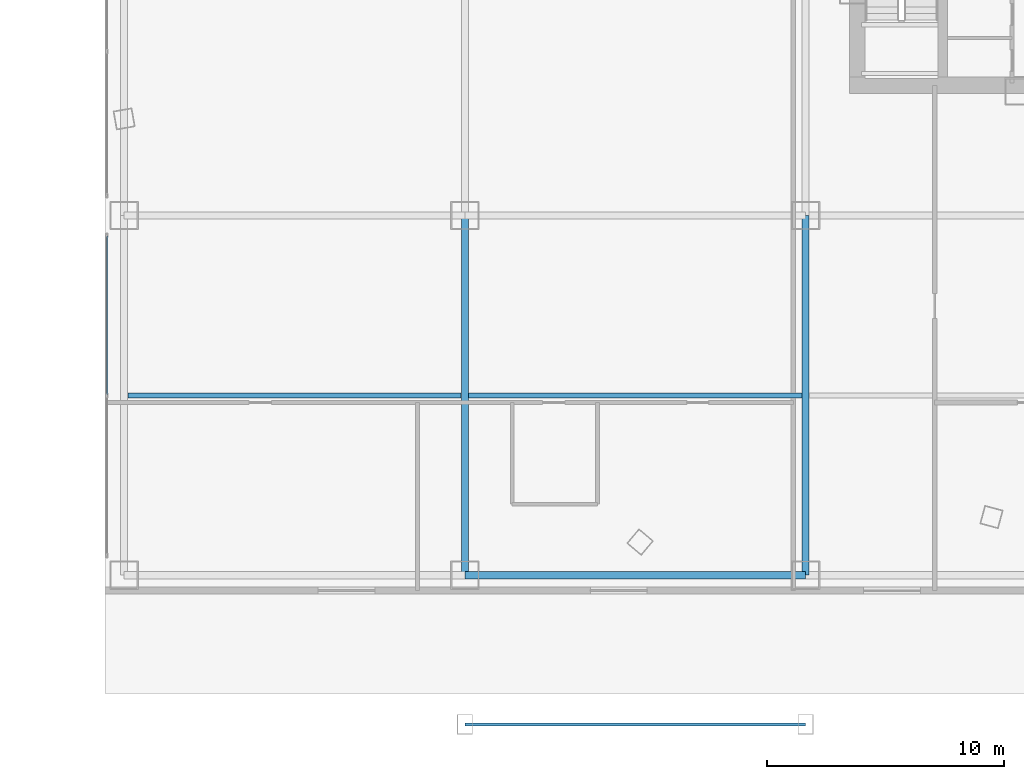
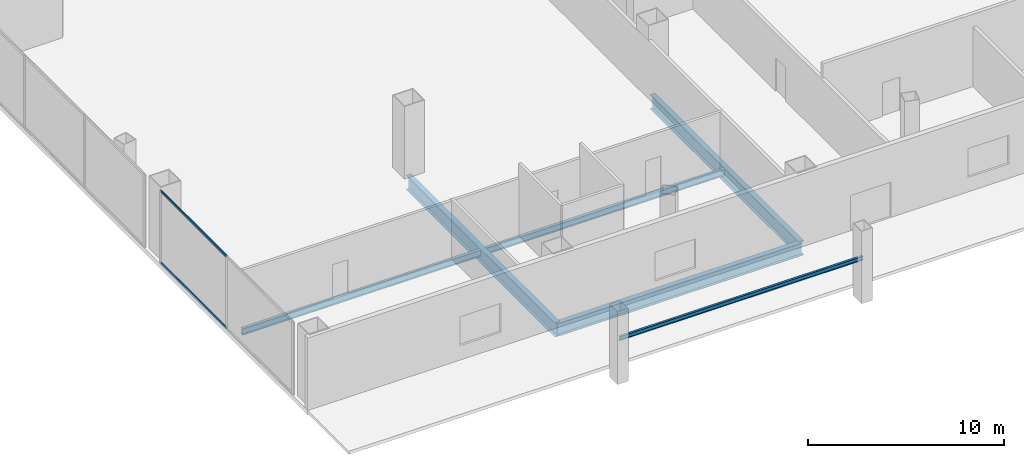
# One storey, part 6 of 58: 6 beams, 2 members, 1 element without a shape of its own.
"""IFC4 building model written with IfcOpenShell, lengths in metres."""

import ifcopenshell
import ifcopenshell.guid

model = None  # the IFC model being written
_history = None  # IfcOwnerHistory: only IFC2X3 demands one
_inside = {}  # id of a spatial element -> (the spatial element, [elements in it])
_under = {}  # id of a project, library or spatial element -> (it, [spatial elements below it])
_declared = {}  # id of a project -> (the project, [libraries it declares])
_typed = {}  # id of a type object -> (the type object, [elements of that type])
_made_of = {}  # id of a material, layer set ... -> (it, [elements and type objects made of it])


def new_model(schema):
    """Start an empty IFC model of exactly this schema.

    Asked for "IFC4X3", IfcOpenShell would pick the latest addendum, in which some entities
    have other attributes; the version numbers below select the first issue.
    IFC2X3 requires an IfcOwnerHistory on every rooted entity: one is made here for all.
    """
    global model, _history
    if schema == "IFC4X3":
        model = ifcopenshell.file(schema_version=(4, 3, 0, 0))
    else:
        model = ifcopenshell.file(schema=schema)
    _inside.clear()
    _under.clear()
    _declared.clear()
    _typed.clear()
    _made_of.clear()
    _history = None
    if model.schema == "IFC2X3":
        org = make("IfcOrganization", Name="unknown")
        user = make(
            "IfcPersonAndOrganization",
            ThePerson=make("IfcPerson", FamilyName="unknown"),
            TheOrganization=org,
        )
        app = make(
            "IfcApplication",
            ApplicationDeveloper=org,
            Version="unknown",
            ApplicationFullName="unknown",
            ApplicationIdentifier="unknown",
        )
        _history = make(
            "IfcOwnerHistory",
            OwningUser=user,
            OwningApplication=app,
            ChangeAction="ADDED",
            CreationDate=0,
        )
    return model


def make(cls, **values):
    """One entity of the class cls with the attributes given. An attribute that is None is left unset."""
    return model.create_entity(
        cls, **{name: value for name, value in values.items() if value is not None}
    )


def rooted(cls, **values):
    """An entity with a GlobalId (a new one), such as an element, a storey or a relation."""
    return make(cls, GlobalId=ifcopenshell.guid.new(), OwnerHistory=_history, **values)


def si_unit(unit_type, name, prefix=None):
    """IfcSIUnit, for example si_unit("LENGTHUNIT", "METRE", prefix="MILLI")."""
    return make("IfcSIUnit", UnitType=unit_type, Prefix=prefix, Name=name)


def assignment(units):
    """IfcUnitAssignment: the units of a project."""
    return None if units is None else make("IfcUnitAssignment", Units=units)


def point(xyz):
    """IfcCartesianPoint."""
    return None if xyz is None else make("IfcCartesianPoint", Coordinates=xyz)


def direction(xyz):
    """IfcDirection."""
    return None if xyz is None else make("IfcDirection", DirectionRatios=xyz)


def frame(location, z_axis=None, x_axis=None):
    """IfcAxis2Placement3D, a coordinate frame: its origin and axes. An axis left out is left unset."""
    return make(
        "IfcAxis2Placement3D",
        Location=point(location),
        Axis=direction(z_axis),
        RefDirection=direction(x_axis),
    )


def frame_2d(location, x_axis=None):
    """IfcAxis2Placement2D, a coordinate frame in the plane: its origin and x axis."""
    return make(
        "IfcAxis2Placement2D", Location=point(location), RefDirection=direction(x_axis)
    )


def origin():
    """The frame at (0, 0, 0) with its axes left unset."""
    return frame((0.0, 0.0, 0.0))


def origin_2d():
    """The frame at (0, 0) in the plane with its x axis left unset."""
    return frame_2d((0.0, 0.0))


def place(relative_to, where):
    """IfcLocalPlacement: puts the frame where relative to a parent placement (None: the world)."""
    return make(
        "IfcLocalPlacement", PlacementRelTo=relative_to, RelativePlacement=where
    )


def context(
    kind, dimensions, precision=None, world=None, true_north=None, identifier=None
):
    """IfcGeometricRepresentationContext, for example the 3D "Model" context."""
    return make(
        "IfcGeometricRepresentationContext",
        ContextIdentifier=identifier,
        ContextType=kind,
        CoordinateSpaceDimension=dimensions,
        Precision=precision,
        WorldCoordinateSystem=world,
        TrueNorth=true_north,
    )


def subcontext(parent, identifier, kind, view, scale=None):
    """IfcGeometricRepresentationSubContext, for example "Body" below "Model"."""
    return make(
        "IfcGeometricRepresentationSubContext",
        ContextIdentifier=identifier,
        ContextType=kind,
        ParentContext=parent,
        TargetScale=scale,
        TargetView=view,
    )


def project(units=None, contexts=None):
    """IfcProject with its units and contexts."""
    return rooted(
        "IfcProject",
        Name="project",
        RepresentationContexts=contexts,
        UnitsInContext=assignment(units),
    )


def spatial(cls, under=None, at=None, **own):
    """A site, building, storey or space (cls), placed at a placement, below another one or the project."""
    s = rooted(cls, ObjectPlacement=at, **own)
    if under is not None:
        _under.setdefault(under.id(), (under, []))[1].append(s)
    return s


def profile(cls, at=None, kind="AREA", **sizes):
    """A parametric profile (cls). Its sizes go by their IFC names, for example OverallWidth=200.0."""
    return make(cls, ProfileType=kind, Position=at, **sizes)


def hollow_rectangle(**sizes):
    """IfcRectangleHollowProfileDef."""
    return profile("IfcRectangleHollowProfileDef", **sizes)


def i_section(**sizes):
    """IfcIShapeProfileDef."""
    return profile("IfcIShapeProfileDef", **sizes)


def extrude(swept, where, along, depth):
    """IfcExtrudedAreaSolid: the profile swept, set in the frame where, extruded along a direction by depth."""
    return make(
        "IfcExtrudedAreaSolid",
        SweptArea=swept,
        Position=where,
        ExtrudedDirection=direction(along),
        Depth=depth,
    )


def shape(context_of_items, identifier, shape_type, items):
    """IfcShapeRepresentation: the items that make up one representation, for example the "Body"."""
    return make(
        "IfcShapeRepresentation",
        ContextOfItems=context_of_items,
        RepresentationIdentifier=identifier,
        RepresentationType=shape_type,
        Items=items,
    )


def source(mapping_origin, context_of_items, identifier, shape_type, items):
    """IfcRepresentationMap: a shape defined once, which mapped items show again and again."""
    return make(
        "IfcRepresentationMap",
        MappingOrigin=mapping_origin,
        MappedRepresentation=shape(context_of_items, identifier, shape_type, items),
    )


def transform(
    local_origin,
    x_axis=None,
    y_axis=None,
    z_axis=None,
    scale=None,
    scale2=None,
    scale3=None,
    uniform=True,
):
    """IfcCartesianTransformationOperator3D, or its non-uniform kind. x_axis, y_axis, z_axis: its Axis1, 2, 3."""
    if uniform:
        return make(
            "IfcCartesianTransformationOperator3D",
            Axis1=direction(x_axis),
            Axis2=direction(y_axis),
            LocalOrigin=point(local_origin),
            Scale=scale,
            Axis3=direction(z_axis),
        )
    return make(
        "IfcCartesianTransformationOperator3DnonUniform",
        Axis1=direction(x_axis),
        Axis2=direction(y_axis),
        LocalOrigin=point(local_origin),
        Scale=scale,
        Axis3=direction(z_axis),
        Scale2=scale2,
        Scale3=scale3,
    )


def mapped(mapping_source, mapping_target):
    """IfcMappedItem: shows the shape of a source again, moved by a transform."""
    return make(
        "IfcMappedItem", MappingSource=mapping_source, MappingTarget=mapping_target
    )


def material(Name=None, Category=None):
    """IfcMaterial."""
    return make("IfcMaterial", Name=Name, Category=Category)


def layer(
    of_material, thickness, ventilated=None, Name=None, Category=None, Priority=None
):
    """IfcMaterialLayer: one layer of a wall or slab, of a material (None: an air gap)."""
    return make(
        "IfcMaterialLayer",
        Material=of_material,
        LayerThickness=thickness,
        IsVentilated=ventilated,
        Name=Name,
        Category=Category,
        Priority=Priority,
    )


def layer_set(layers, Name=None):
    """IfcMaterialLayerSet."""
    return make("IfcMaterialLayerSet", MaterialLayers=layers, LayerSetName=Name)


def material_profile(
    of_material, cross_section, Name=None, Category=None, Priority=None
):
    """IfcMaterialProfile: a cross section and its material."""
    return make(
        "IfcMaterialProfile",
        Name=Name,
        Material=of_material,
        Profile=cross_section,
        Priority=Priority,
        Category=Category,
    )


def profile_set(profiles, Name=None, composite=None):
    """IfcMaterialProfileSet."""
    return make(
        "IfcMaterialProfileSet",
        Name=Name,
        MaterialProfiles=profiles,
        CompositeProfile=composite,
    )


def made_of(thing, what):
    """Note that an element or type object is made of a material, layer set ...; save() writes the relation."""
    if what is not None:
        _made_of.setdefault(what.id(), (what, []))[1].append(thing)
    return thing


def type_object(cls, material=None, **own):
    """A type object (cls), such as IfcWallType, which elements share."""
    return made_of(rooted(cls, **own), material)


def element(
    cls,
    number,
    at=None,
    inside=None,
    cuts=None,
    type_object=None,
    material=None,
    context=None,
    identifier="Body",
    shape_type=None,
    held_by="IfcProductDefinitionShape",
    body=None,
    shapes=None,
    **own,
):
    """One element of the class cls, such as IfcWall. Its Tag is "e" and its number.

    at: its placement. inside: the storey or other place that contains it. cuts: it is an
    opening in that element (IfcRelVoidsElement). A single representation is given by context,
    identifier, shape_type and body (its items); several are given by shapes. held_by: the class
    of the entity that holds the representations. save() writes the other relations.
    """
    e = rooted(cls, Tag="e%d" % number, ObjectPlacement=at, **own)
    if body is not None:
        shapes = [shape(context, identifier, shape_type, body)]
    if shapes is not None:
        e.Representation = make(held_by, Representations=shapes)
    if inside is not None:
        _inside.setdefault(inside.id(), (inside, []))[1].append(e)
    if cuts is not None:
        rooted(
            "IfcRelVoidsElement", RelatingBuildingElement=cuts, RelatedOpeningElement=e
        )
    if type_object is not None:
        _typed.setdefault(type_object.id(), (type_object, []))[1].append(e)
    return made_of(e, material)


def aggregate(whole, parts):
    """IfcRelAggregates: a whole, such as a stair, and the parts it consists of."""
    return rooted("IfcRelAggregates", RelatingObject=whole, RelatedObjects=parts)


def save(model, path):
    """Write the relations noted so far, then the file.

    IfcRelAggregates (storeys below a building ...), IfcRelContainedInSpatialStructure (elements
    in a storey), IfcRelDefinesByType, IfcRelAssociatesMaterial and IfcRelDeclares: one each for
    every whole, place, type object, material and project.
    """
    for whole, parts in _under.values():
        aggregate(whole, parts)
    for where, things in _inside.values():
        rooted(
            "IfcRelContainedInSpatialStructure",
            RelatedElements=things,
            RelatingStructure=where,
        )
    for kind, things in _typed.values():
        rooted("IfcRelDefinesByType", RelatedObjects=things, RelatingType=kind)
    for what, things in _made_of.values():
        rooted("IfcRelAssociatesMaterial", RelatedObjects=things, RelatingMaterial=what)
    for by, libraries in _declared.values():
        rooted("IfcRelDeclares", RelatingContext=by, RelatedDefinitions=libraries)
    model.write(path)


model = new_model("IFC4")

# Units and contexts
model_context = context("Model", 3, precision=1e-05, world=origin(), true_north=direction((0.0, 1.0)))
body_context = subcontext(model_context, "Body", "Model", "MODEL_VIEW")
ifc_project = project(units=[si_unit("LENGTHUNIT", "METRE"), si_unit("AREAUNIT", "SQUARE_METRE"), si_unit("VOLUMEUNIT", "CUBIC_METRE"), si_unit("PLANEANGLEUNIT", "RADIAN"), si_unit("MASSUNIT", "GRAM", prefix="KILO"), si_unit("THERMODYNAMICTEMPERATUREUNIT", "KELVIN"), si_unit("POWERUNIT", "WATT")], contexts=[model_context])

# Site, building, storey
site_placement = place(None, origin())
site = spatial("IfcSite", under=ifc_project, at=site_placement, CompositionType="ELEMENT")
building_placement = place(site_placement, origin())
building = spatial("IfcBuilding", under=site, at=building_placement, Name="Yunzhuo Pagoda Commons", CompositionType="ELEMENT")
storey_placement = place(building_placement, origin())
storey = spatial("IfcBuildingStorey", under=building, at=storey_placement, Name="L01", CompositionType="ELEMENT", Elevation=0.0)

# Beams
ifc_material_1 = material(Name="Structural steel Q355B", Category="steel")
ifc_material_profile_1 = material_profile(ifc_material_1, i_section(OverallWidth=0.300048828125, OverallDepth=0.800048828125, WebThickness=0.013916015625, FlangeThickness=0.02587890625, at=origin_2d()), Name="Structural steel Q355B")
ifc_profile_set_1 = profile_set([ifc_material_profile_1], Name="Structural steel Q355B")
beam_type_1 = type_object("IfcBeamType", Name="B-PD2 Beam HN 800x300x14x26", PredefinedType="BEAM", material=ifc_profile_set_1)
shared_shape_1 = source(origin(), body_context, "Body", "SweptSolid", [
    extrude(i_section(OverallWidth=0.300048828125, OverallDepth=0.800048828125, WebThickness=0.013916015625, FlangeThickness=0.02587890625, at=origin_2d()), origin(), (0.0, 0.0, 1.0), 14.400146484375),
])
beam_1_placement = place(storey_placement, frame((19.199951171875, 6.800048828125, -0.679931640625), z_axis=(1.0, 0.0, 0.0), x_axis=(0.0, 1.0, 0.0)))
element("IfcBeam", 1, at=beam_1_placement, inside=storey, type_object=beam_type_1, Name="L01 podium girder EW 1.2", PredefinedType="BEAM", context=body_context, shape_type="MappedRepresentation", body=[
    mapped(shared_shape_1, transform((0.0, 0.0, 0.0), scale=1.0)),
])
ifc_material_profile_2 = material_profile(ifc_material_1, i_section(OverallWidth=0.199951171875, OverallDepth=0.39990234375, WebThickness=0.008056640625, FlangeThickness=0.012939453125, at=origin_2d()), Name="Structural steel Q355B")
ifc_profile_set_2 = profile_set([ifc_material_profile_2], Name="Structural steel Q355B")
beam_type_2 = type_object("IfcBeamType", Name="B-JS1 Joist HN 400x200x8x13", PredefinedType="JOIST", material=ifc_profile_set_2)
shared_shape_2 = source(origin(), body_context, "Body", "SweptSolid", [
    extrude(i_section(OverallWidth=0.199951171875, OverallDepth=0.39990234375, WebThickness=0.008056640625, FlangeThickness=0.012939453125, at=origin_2d()), origin(), (0.0, 0.0, 1.0), 14.08984375),
])
for number, where, z_axis, x_axis, name in (
    (2, (4.955078125, 14.39990234375, -0.479736328125), (1.0, 0.0, 0.0), (0.0, 1.0, 0.0), "L01 podium composite joist 1.1"),
    (3, (19.355224609375, 14.39990234375, -0.479736328125), (1.0, 0.0, 0.0), (0.0, 1.0, 0.0), "L01 podium composite joist 2.1"),
):
    element("IfcBeam", number, at=place(storey_placement, frame(where, z_axis=z_axis, x_axis=x_axis)), inside=storey, type_object=beam_type_2, Name=name, PredefinedType="JOIST", context=body_context, shape_type="MappedRepresentation", body=[
        mapped(shared_shape_2, transform((0.0, 0.0, 0.0), scale=1.0)),
    ])
ifc_material_profile_3 = material_profile(ifc_material_1, i_section(OverallWidth=0.300048828125, OverallDepth=0.89990234375, WebThickness=0.01611328125, FlangeThickness=0.028076171875, at=origin_2d()), Name="Structural steel Q355B")
ifc_profile_set_3 = profile_set([ifc_material_profile_3], Name="Structural steel Q355B")
beam_type_3 = type_object("IfcBeamType", Name="B-PD1 Beam HN 900x300x16x28", PredefinedType="BEAM", material=ifc_profile_set_3)
shared_shape_3 = source(origin(), body_context, "Body", "SweptSolid", [
    extrude(i_section(OverallWidth=0.300048828125, OverallDepth=0.89990234375, WebThickness=0.01611328125, FlangeThickness=0.028076171875, at=origin_2d()), origin(), (0.0, 0.0, 1.0), 15.199951171875),
])
for number, where, z_axis, x_axis, name in (
    (4, (19.199951171875, 6.800048828125, -0.729736328125), (0.0, 1.0, 0.0), (-1.0, 0.0, 0.0), "L01 podium girder NS 2.1"),
    (5, (33.60009765625, 6.800048828125, -0.729736328125), (0.0, 1.0, 0.0), (-1.0, 0.0, 0.0), "L01 podium girder NS 3.1"),
):
    element("IfcBeam", number, at=place(storey_placement, frame(where, z_axis=z_axis, x_axis=x_axis)), inside=storey, type_object=beam_type_3, Name=name, PredefinedType="BEAM", context=body_context, shape_type="MappedRepresentation", body=[
        mapped(shared_shape_3, transform((0.0, 0.0, 0.0), scale=1.0)),
    ])
ifc_material_profile_4 = material_profile(ifc_material_1, i_section(OverallWidth=0.125, OverallDepth=0.25, WebThickness=0.006103515625, FlangeThickness=0.009033203125, at=origin_2d()), Name="Structural steel Q355B")
ifc_profile_set_4 = profile_set([ifc_material_profile_4], Name="Structural steel Q355B")
beam_type_4 = type_object("IfcBeamType", Name="B-LN1 Lintel HN 250x125x6x9", PredefinedType="LINTEL", material=ifc_profile_set_4)
shared_shape_4 = source(origin(), body_context, "Body", "SweptSolid", [
    extrude(i_section(OverallWidth=0.125, OverallDepth=0.25, WebThickness=0.006103515625, FlangeThickness=0.009033203125, at=origin_2d()), origin(), (0.0, 0.0, 1.0), 14.400146484375),
])
beam_2_placement = place(storey_placement, frame((19.199951171875, 0.5, 2.52490234375), z_axis=(1.0, 0.0, 0.0), x_axis=(0.0, 1.0, 0.0)))
element("IfcBeam", 6, at=beam_2_placement, inside=storey, type_object=beam_type_4, Name="South colonnade transom lintel S1", PredefinedType="LINTEL", context=body_context, shape_type="MappedRepresentation", body=[
    mapped(shared_shape_4, transform((0.0, 0.0, 0.0), scale=1.0)),
])

# Curtain wall, members
ifc_material_2 = material(Name="Anodized aluminium 6063-T6", Category="aluminium")
ifc_layer = layer(ifc_material_2, 0.179931640625)
ifc_layer_set = layer_set([ifc_layer], Name="Anodized aluminium 6063-T6")
curtain_wall_type = type_object("IfcCurtainWallType", Name="CW-POD Waterfront Podium Curtain Wall", PredefinedType="NOTDEFINED", material=ifc_layer_set)
curtain_wall_placement = place(storey_placement, origin())
curtain_wall = element("IfcCurtainWall", 7, at=curtain_wall_placement, inside=storey, type_object=curtain_wall_type, Name="L01 curtain wall CW-L01-W1", PredefinedType="NOTDEFINED")
ifc_material_profile_5 = material_profile(ifc_material_2, hollow_rectangle(XDim=0.06005859375, YDim=0.14990234375, WallThickness=0.00390625, at=origin_2d()), Name="Anodized aluminium 6063-T6")
ifc_profile_set_5 = profile_set([ifc_material_profile_5], Name="Anodized aluminium 6063-T6")
member_type = type_object("IfcMemberType", Name="CW-POD-T Transom RHS 150x60x4", PredefinedType="USERDEFINED", material=ifc_profile_set_5)
shared_shape_5 = source(origin(), body_context, "Body", "SweptSolid", [
    extrude(hollow_rectangle(XDim=0.06005859375, YDim=0.14990234375, WallThickness=0.00390625, at=origin_2d()), origin(), (0.0, 0.0, 1.0), 6.702392578125),
])
member_1_placement = place(storey_placement, frame((4.080078125, 14.4326171875, 0.030029296875), z_axis=(0.0, 1.0, 0.0), x_axis=(-1.0, 0.0, 0.0)))
member_1 = element("IfcMember", 8, at=member_1_placement, type_object=member_type, Name="CW transom 2.1", ObjectType="TRANSOM", PredefinedType="USERDEFINED", context=body_context, shape_type="MappedRepresentation", body=[
    mapped(shared_shape_5, transform((0.0, 0.0, 0.0), scale=1.0)),
])
member_2_placement = place(storey_placement, frame((4.080078125, 14.4326171875, 4.489990234375), z_axis=(0.0, 1.0, 0.0), x_axis=(-1.0, 0.0, 0.0)))
member_2 = element("IfcMember", 9, at=member_2_placement, type_object=member_type, Name="CW transom 2.2", ObjectType="TRANSOM", PredefinedType="USERDEFINED", context=body_context, shape_type="MappedRepresentation", body=[
    mapped(shared_shape_5, transform((0.0, 0.0, 0.0), scale=1.0)),
])
aggregate(curtain_wall, [member_1, member_2])

save(model, "model.ifc")
